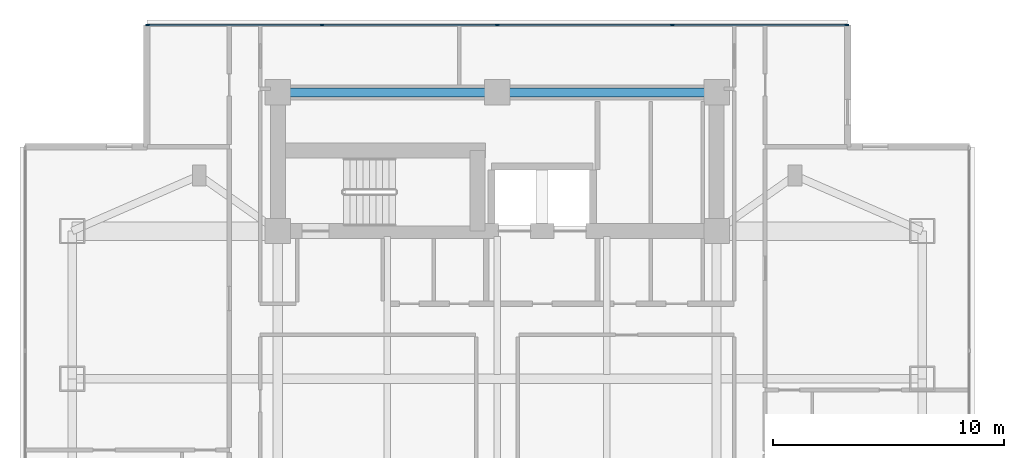
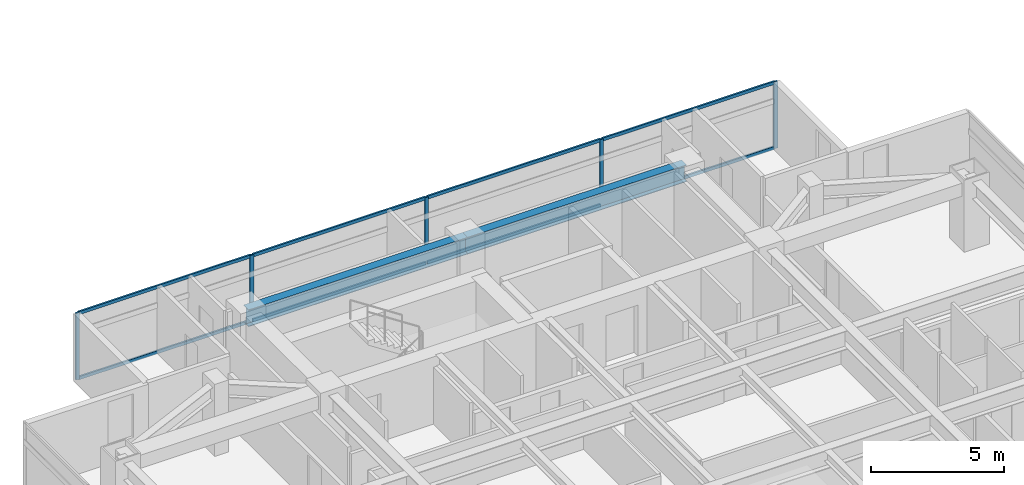
# One storey, part 8 of 27: 13 members, 2 beams, 1 element without a shape of its own.
"""IFC4 building model written with IfcOpenShell, lengths in metres."""

from ifc_helpers import new_model, si_unit, direction, frame, origin, origin_2d, place, context, subcontext, project, spatial, rectangle, i_section, extrude, material, material_profile, profile_set, type_object, element, aggregate, save


model = new_model("IFC4")

# Units and contexts
model_context = context("Model", 3, precision=1e-05, world=origin(), true_north=direction((0.0, 1.0)))
body_context = subcontext(model_context, "Body", "Model", "MODEL_VIEW")
ifc_project = project(units=[si_unit("LENGTHUNIT", "METRE"), si_unit("AREAUNIT", "SQUARE_METRE"), si_unit("VOLUMEUNIT", "CUBIC_METRE"), si_unit("PLANEANGLEUNIT", "RADIAN"), si_unit("MASSUNIT", "GRAM", prefix="KILO")], contexts=[model_context])

# Site, building, storey
site_placement = place(None, origin())
site = spatial("IfcSite", under=ifc_project, at=site_placement, CompositionType="ELEMENT")
building_placement = place(site_placement, origin())
building = spatial("IfcBuilding", under=site, at=building_placement, Name="Mirazonda Arch Towers", CompositionType="ELEMENT")
storey_placement = place(building_placement, frame((0.0, 0.0, 124.699951171875)))
storey = spatial("IfcBuildingStorey", under=building, at=storey_placement, Name="L35", CompositionType="ELEMENT", Elevation=124.699951171875)

# Beams
ifc_material_1 = material(Name="Steel ASTM A992 Grade 50", Category="steel")
ifc_material_profile_1 = material_profile(ifc_material_1, i_section(OverallWidth=0.381103515625, OverallDepth=0.77294921875, WebThickness=0.0166015625, FlangeThickness=0.027099609375, at=origin_2d()), Name="W30X173")
ifc_profile_set_1 = profile_set([ifc_material_profile_1], Name="Steel ASTM A992 Grade 50")
beam_type = type_object("IfcBeamType", Name="BM-INT-W30X173", PredefinedType="USERDEFINED", material=ifc_profile_set_1)
for number, where, z_axis, x_axis, name in (
    (1, (11.0, 43.60009765625, 2.693603515625), (1.0, 0.0, 0.0), (0.0, 1.0, 0.0), "L35 Floor Beam BM-T1-L35-CN1"),
    (2, (20.5, 43.60009765625, 2.693603515625), (1.0, 0.0, 0.0), (0.0, 1.0, 0.0), "L35 Floor Beam BM-T1-L35-CN2"),
):
    element("IfcBeam", number, at=place(storey_placement, frame(where, z_axis=z_axis, x_axis=x_axis)), inside=storey, type_object=beam_type, Name=name, ObjectType="GIRDER", PredefinedType="USERDEFINED", context=body_context, shape_type="SweptSolid", body=[
        extrude(i_section(OverallWidth=0.381103515625, OverallDepth=0.77294921875, WebThickness=0.0166015625, FlangeThickness=0.027099609375, at=origin_2d()), origin(), (0.0, 0.0, 1.0), 9.5),
    ])

# Curtain wall, members
ifc_material_2 = material(Name="Anodised Aluminium and Low-E Glass", Category="aluminium")
curtain_wall_type = type_object("IfcCurtainWallType", Name="CW-HTL-UNIT", PredefinedType="NOTDEFINED", material=ifc_material_2)
curtain_wall_placement = place(storey_placement, origin())
curtain_wall = element("IfcCurtainWall", 3, at=curtain_wall_placement, inside=storey, type_object=curtain_wall_type, Name="L35 T1 N Facade CW-L35-T1-N", PredefinedType="NOTDEFINED")
ifc_material_3 = material(Name="Anodised Aluminium Alloy", Category="aluminium")
ifc_material_profile_2 = material_profile(ifc_material_3, rectangle(XDim=0.074951171875, YDim=0.1650390625, at=origin_2d()), Name="ALU-MULL-75x165")
ifc_profile_set_2 = profile_set([ifc_material_profile_2], Name="Anodised Aluminium Alloy")
member_type_1 = type_object("IfcMemberType", Name="MULL-CW-HTL-UNIT", PredefinedType="MULLION", material=ifc_profile_set_2)
member_1_placement = place(storey_placement, frame((5.367431640625, 46.51611328125, 0.0), z_axis=(0.0, 0.0, 1.0), x_axis=(0.0, 1.0, 0.0)))
member_1 = element("IfcMember", 4, at=member_1_placement, type_object=member_type_1, Name="CW-112 mullion 1", PredefinedType="MULLION", context=body_context, shape_type="SweptSolid", body=[
    extrude(rectangle(XDim=0.074951171875, YDim=0.1650390625, at=origin_2d()), origin(), (0.0, 0.0, 1.0), 3.06005859375),
])
member_2_placement = place(storey_placement, frame((12.9150390625, 46.51611328125, 0.0), z_axis=(0.0, 0.0, 1.0), x_axis=(0.0, 1.0, 0.0)))
member_2 = element("IfcMember", 5, at=member_2_placement, type_object=member_type_1, Name="CW-112 mullion 2", PredefinedType="MULLION", context=body_context, shape_type="SweptSolid", body=[
    extrude(rectangle(XDim=0.074951171875, YDim=0.1650390625, at=origin_2d()), origin(), (0.0, 0.0, 1.0), 3.06005859375),
])
member_3_placement = place(storey_placement, frame((20.5, 46.51611328125, 0.0), z_axis=(0.0, 0.0, 1.0), x_axis=(0.0, 1.0, 0.0)))
member_3 = element("IfcMember", 6, at=member_3_placement, type_object=member_type_1, Name="CW-112 mullion 3", PredefinedType="MULLION", context=body_context, shape_type="SweptSolid", body=[
    extrude(rectangle(XDim=0.074951171875, YDim=0.1650390625, at=origin_2d()), origin(), (0.0, 0.0, 1.0), 3.06005859375),
])
member_4_placement = place(storey_placement, frame((28.0849609375, 46.51611328125, 0.0), z_axis=(0.0, 0.0, 1.0), x_axis=(0.0, 1.0, 0.0)))
member_4 = element("IfcMember", 7, at=member_4_placement, type_object=member_type_1, Name="CW-112 mullion 4", PredefinedType="MULLION", context=body_context, shape_type="SweptSolid", body=[
    extrude(rectangle(XDim=0.074951171875, YDim=0.1650390625, at=origin_2d()), origin(), (0.0, 0.0, 1.0), 3.06005859375),
])
member_5_placement = place(storey_placement, frame((35.632568359375, 46.51611328125, 0.0), z_axis=(0.0, 0.0, 1.0), x_axis=(0.0, 1.0, 0.0)))
member_5 = element("IfcMember", 8, at=member_5_placement, type_object=member_type_1, Name="CW-112 mullion 5", PredefinedType="MULLION", context=body_context, shape_type="SweptSolid", body=[
    extrude(rectangle(XDim=0.074951171875, YDim=0.1650390625, at=origin_2d()), origin(), (0.0, 0.0, 1.0), 3.06005859375),
])
ifc_material_profile_3 = material_profile(ifc_material_3, rectangle(XDim=0.074951171875, YDim=0.14501953125, at=origin_2d()), Name="ALU-TRAN-75x145")
ifc_profile_set_3 = profile_set([ifc_material_profile_3], Name="Anodised Aluminium Alloy")
member_type_2 = type_object("IfcMemberType", Name="TRAN-CW-HTL-UNIT", PredefinedType="USERDEFINED", material=ifc_profile_set_3)
member_6_placement = place(storey_placement, frame((5.405029296875, 46.51611328125, 0.03759765625), z_axis=(1.0, 0.0, 0.0), x_axis=(0.0, 1.0, 0.0)))
member_6 = element("IfcMember", 9, at=member_6_placement, type_object=member_type_2, Name="CW-112 transom 1.1", ObjectType="TRANSOM", PredefinedType="USERDEFINED", context=body_context, shape_type="SweptSolid", body=[
    extrude(rectangle(XDim=0.074951171875, YDim=0.14501953125, at=origin_2d()), origin(), (0.0, 0.0, 1.0), 7.472412109375),
])
member_7_placement = place(storey_placement, frame((5.405029296875, 46.51611328125, 3.0224609375), z_axis=(1.0, 0.0, 0.0), x_axis=(0.0, 1.0, 0.0)))
member_7 = element("IfcMember", 10, at=member_7_placement, type_object=member_type_2, Name="CW-112 transom 1.2", ObjectType="TRANSOM", PredefinedType="USERDEFINED", context=body_context, shape_type="SweptSolid", body=[
    extrude(rectangle(XDim=0.074951171875, YDim=0.14501953125, at=origin_2d()), origin(), (0.0, 0.0, 1.0), 7.472412109375),
])
member_8_placement = place(storey_placement, frame((12.952392578125, 46.51611328125, 0.03759765625), z_axis=(1.0, 0.0, 0.0), x_axis=(0.0, 1.0, 0.0)))
member_8 = element("IfcMember", 11, at=member_8_placement, type_object=member_type_2, Name="CW-112 transom 2.1", ObjectType="TRANSOM", PredefinedType="USERDEFINED", context=body_context, shape_type="SweptSolid", body=[
    extrude(rectangle(XDim=0.074951171875, YDim=0.14501953125, at=origin_2d()), origin(), (0.0, 0.0, 1.0), 7.510009765625),
])
member_9_placement = place(storey_placement, frame((12.952392578125, 46.51611328125, 3.0224609375), z_axis=(1.0, 0.0, 0.0), x_axis=(0.0, 1.0, 0.0)))
member_9 = element("IfcMember", 12, at=member_9_placement, type_object=member_type_2, Name="CW-112 transom 2.2", ObjectType="TRANSOM", PredefinedType="USERDEFINED", context=body_context, shape_type="SweptSolid", body=[
    extrude(rectangle(XDim=0.074951171875, YDim=0.14501953125, at=origin_2d()), origin(), (0.0, 0.0, 1.0), 7.510009765625),
])
member_10_placement = place(storey_placement, frame((20.53759765625, 46.51611328125, 0.03759765625), z_axis=(1.0, 0.0, 0.0), x_axis=(0.0, 1.0, 0.0)))
member_10 = element("IfcMember", 13, at=member_10_placement, type_object=member_type_2, Name="CW-112 transom 3.1", ObjectType="TRANSOM", PredefinedType="USERDEFINED", context=body_context, shape_type="SweptSolid", body=[
    extrude(rectangle(XDim=0.074951171875, YDim=0.14501953125, at=origin_2d()), origin(), (0.0, 0.0, 1.0), 7.510009765625),
])
member_11_placement = place(storey_placement, frame((20.53759765625, 46.51611328125, 3.0224609375), z_axis=(1.0, 0.0, 0.0), x_axis=(0.0, 1.0, 0.0)))
member_11 = element("IfcMember", 14, at=member_11_placement, type_object=member_type_2, Name="CW-112 transom 3.2", ObjectType="TRANSOM", PredefinedType="USERDEFINED", context=body_context, shape_type="SweptSolid", body=[
    extrude(rectangle(XDim=0.074951171875, YDim=0.14501953125, at=origin_2d()), origin(), (0.0, 0.0, 1.0), 7.510009765625),
])
member_12_placement = place(storey_placement, frame((28.12255859375, 46.51611328125, 0.03759765625), z_axis=(1.0, 0.0, 0.0), x_axis=(0.0, 1.0, 0.0)))
member_12 = element("IfcMember", 15, at=member_12_placement, type_object=member_type_2, Name="CW-112 transom 4.1", ObjectType="TRANSOM", PredefinedType="USERDEFINED", context=body_context, shape_type="SweptSolid", body=[
    extrude(rectangle(XDim=0.074951171875, YDim=0.14501953125, at=origin_2d()), origin(), (0.0, 0.0, 1.0), 7.472412109375),
])
member_13_placement = place(storey_placement, frame((28.12255859375, 46.51611328125, 3.0224609375), z_axis=(1.0, 0.0, 0.0), x_axis=(0.0, 1.0, 0.0)))
member_13 = element("IfcMember", 16, at=member_13_placement, type_object=member_type_2, Name="CW-112 transom 4.2", ObjectType="TRANSOM", PredefinedType="USERDEFINED", context=body_context, shape_type="SweptSolid", body=[
    extrude(rectangle(XDim=0.074951171875, YDim=0.14501953125, at=origin_2d()), origin(), (0.0, 0.0, 1.0), 7.472412109375),
])
aggregate(curtain_wall, [member_1, member_2, member_3, member_4, member_5, member_6, member_7, member_8, member_9, member_10, member_11, member_12, member_13])

save(model, "model.ifc")
